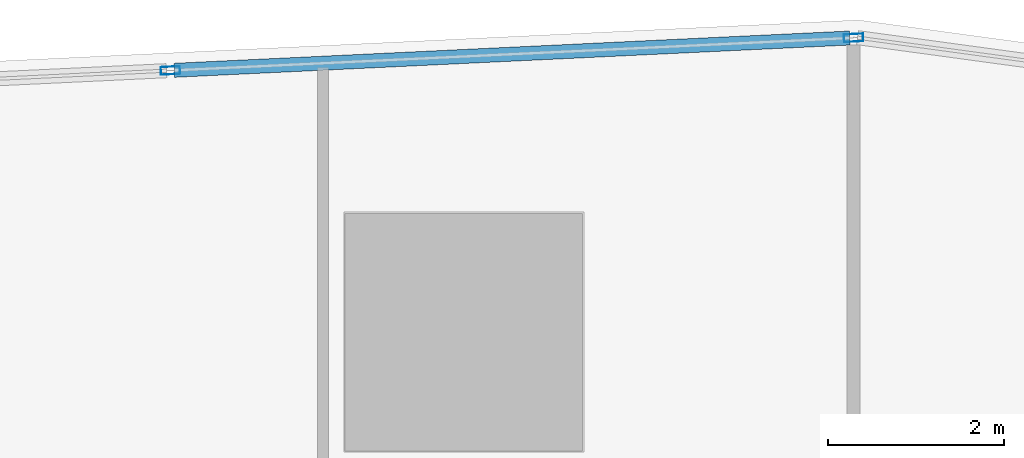
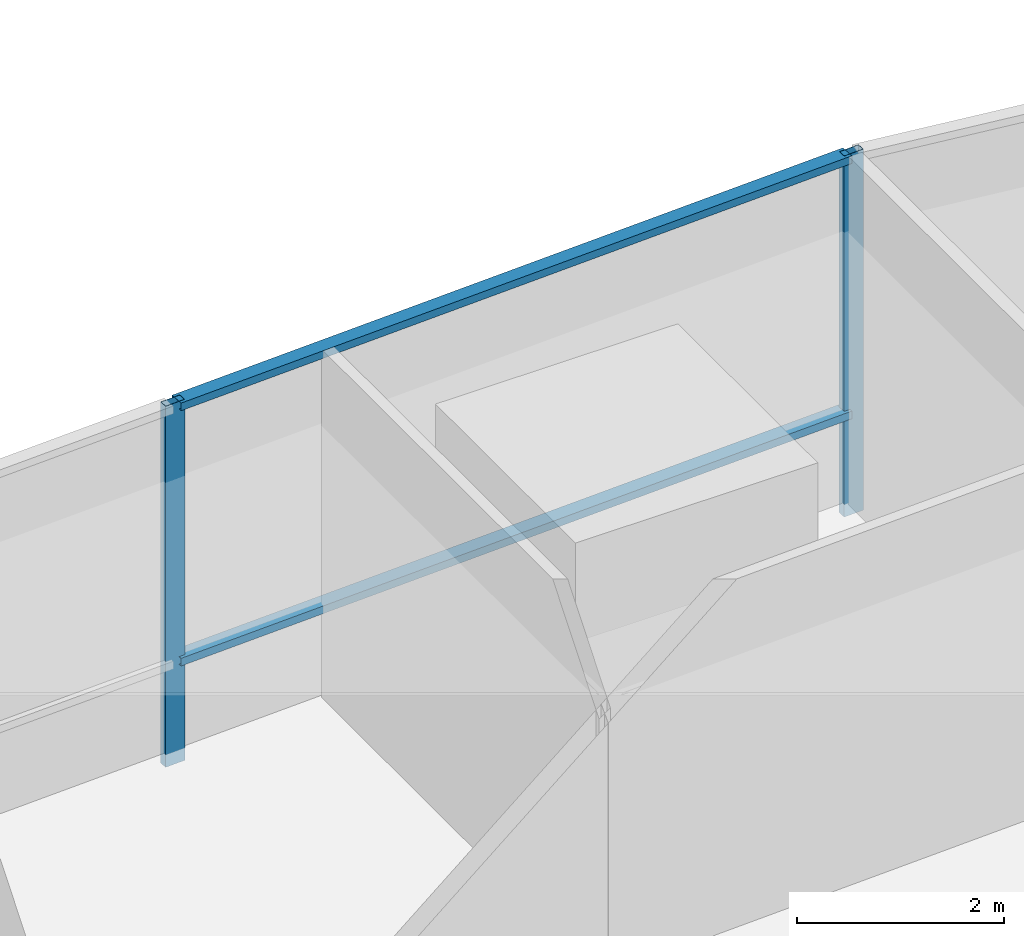
# One storey, part 12 of 39: 4 members, 1 element without a shape of its own.
"""IFC4 building model written with IfcOpenShell, lengths in metres."""

from ifc_helpers import new_model, si_unit, direction, frame, origin, origin_2d, place, context, subcontext, project, spatial, hollow_rectangle, extrude, material, material_profile, profile_set, type_object, element, aggregate, save


model = new_model("IFC4")

# Units and contexts
model_context = context("Model", 3, precision=1e-05, world=origin(), true_north=direction((0.0, 1.0)))
body_context = subcontext(model_context, "Body", "Model", "MODEL_VIEW")
ifc_project = project(units=[si_unit("LENGTHUNIT", "METRE"), si_unit("AREAUNIT", "SQUARE_METRE"), si_unit("VOLUMEUNIT", "CUBIC_METRE"), si_unit("PLANEANGLEUNIT", "RADIAN"), si_unit("MASSUNIT", "GRAM", prefix="KILO")], contexts=[model_context])

# Site, building, storey
site_placement = place(None, origin())
site = spatial("IfcSite", under=ifc_project, at=site_placement, CompositionType="ELEMENT")
building_placement = place(site_placement, origin())
building = spatial("IfcBuilding", under=site, at=building_placement, Name="Rekha Terrace Tower", CompositionType="ELEMENT")
storey_placement = place(building_placement, frame((0.0, 0.0, 168.199951171875)))
storey = spatial("IfcBuildingStorey", under=building, at=storey_placement, Name="L42", CompositionType="ELEMENT", Elevation=168.199951171875)

# Curtain wall, members
ifc_material_1 = material(Name="Aluminium framing", Category="aluminium")
curtain_wall_type = type_object("IfcCurtainWallType", Name="CW5 sky garden glazing", PredefinedType="USERDEFINED", material=ifc_material_1)
curtain_wall_placement = place(storey_placement, origin())
curtain_wall = element("IfcCurtainWall", 1, at=curtain_wall_placement, inside=storey, type_object=curtain_wall_type, Name="CW5 sky garden curtain wall", ObjectType="SKY GARDEN CURTAIN WALL", PredefinedType="USERDEFINED")
ifc_material_2 = material(Name="Aluminium mullion section", Category="aluminium")
ifc_material_profile_1 = material_profile(ifc_material_2, hollow_rectangle(XDim=0.090087890625, YDim=0.219970703125, WallThickness=0.00390625, at=origin_2d()), Name="AL RHS 90x220")
ifc_profile_set_1 = profile_set([ifc_material_profile_1], Name="Aluminium mullion section")
member_type_1 = type_object("IfcMemberType", Name="CW5 mullion RHS 90 x 220", PredefinedType="MULLION", material=ifc_profile_set_1)
member_1_placement = place(storey_placement, frame((46.434326171875, 62.147216796875, 0.0), z_axis=(0.0, 0.0, 1.0), x_axis=(0.047758616983, -0.998858906204, 0.0)))
member_1 = element("IfcMember", 2, at=member_1_placement, type_object=member_type_1, Name="CW5 mullion 1", PredefinedType="MULLION", context=body_context, shape_type="SweptSolid", body=[
    extrude(hollow_rectangle(XDim=0.090087890625, YDim=0.219970703125, WallThickness=0.00390625, at=origin_2d()), origin(), (0.0, 0.0, 1.0), 4.25),
])
member_2_placement = place(storey_placement, frame((38.6630859375, 61.775634765625, 0.0), z_axis=(0.0, 0.0, 1.0), x_axis=(0.047758616983, -0.998858906204, 0.0)))
member_2 = element("IfcMember", 3, at=member_2_placement, type_object=member_type_1, Name="CW5 mullion 2", PredefinedType="MULLION", context=body_context, shape_type="SweptSolid", body=[
    extrude(hollow_rectangle(XDim=0.090087890625, YDim=0.219970703125, WallThickness=0.00390625, at=origin_2d()), origin(), (0.0, 0.0, 1.0), 4.25),
])
ifc_material_3 = material(Name="Aluminium transom section", Category="aluminium")
ifc_material_profile_2 = material_profile(ifc_material_3, hollow_rectangle(XDim=0.159912109375, YDim=0.090087890625, WallThickness=0.0029296875, at=origin_2d()), Name="AL RHS 160x90")
ifc_profile_set_2 = profile_set([ifc_material_profile_2], Name="Aluminium transom section")
member_type_2 = type_object("IfcMemberType", Name="CW5 transom RHS 90 x 160", PredefinedType="USERDEFINED", material=ifc_profile_set_2)
member_3_placement = place(storey_placement, frame((46.389404296875, 62.14501953125, 1.199951171875), z_axis=(-0.998859357717, -0.04774917278, 0.0), x_axis=(0.04774917278, -0.998859357717, 0.0)))
member_3 = element("IfcMember", 4, at=member_3_placement, type_object=member_type_2, Name="CW5 transom 1.2", ObjectType="TRANSOM", PredefinedType="USERDEFINED", context=body_context, shape_type="SweptSolid", body=[
    extrude(hollow_rectangle(XDim=0.159912109375, YDim=0.090087890625, WallThickness=0.0029296875, at=origin_2d()), origin(), (0.0, 0.0, 1.0), 7.68994140625),
])
member_4_placement = place(storey_placement, frame((46.389404296875, 62.14501953125, 4.205078125), z_axis=(-0.998859357717, -0.04774917278, 0.0), x_axis=(0.04774917278, -0.998859357717, 0.0)))
member_4 = element("IfcMember", 5, at=member_4_placement, type_object=member_type_2, Name="CW5 transom 1.3", ObjectType="TRANSOM", PredefinedType="USERDEFINED", context=body_context, shape_type="SweptSolid", body=[
    extrude(hollow_rectangle(XDim=0.159912109375, YDim=0.090087890625, WallThickness=0.0029296875, at=origin_2d()), origin(), (0.0, 0.0, 1.0), 7.68994140625),
])
aggregate(curtain_wall, [member_1, member_2, member_3, member_4])

save(model, "model.ifc")
